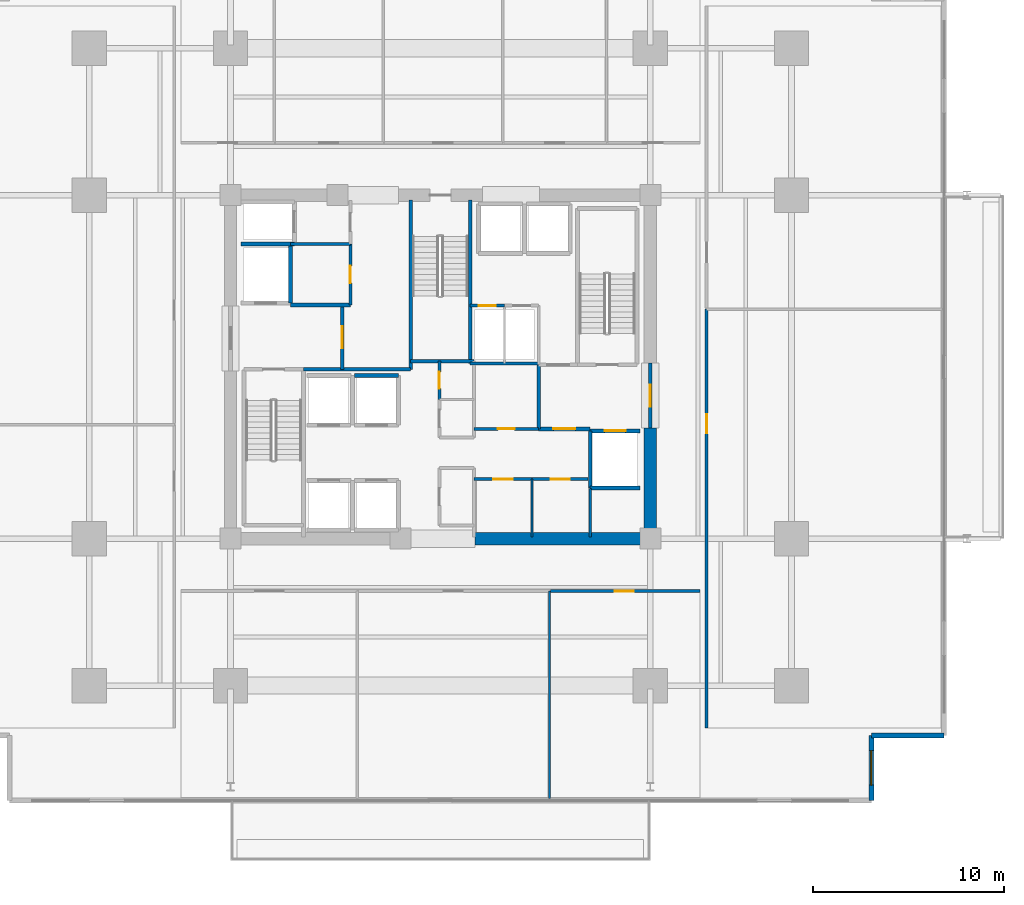
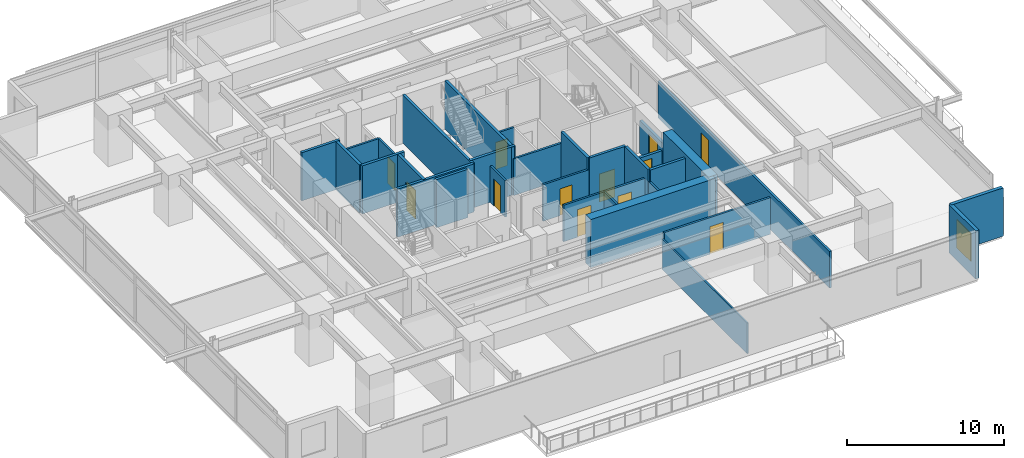
# One storey, part 17 of 24: 32 walls, 12 doors, 1 window, 13 openings.
"""IFC4 building model written with IfcOpenShell, lengths in metres."""

from ifc_helpers import new_model, si_unit, direction, frame, frame_2d, origin, place, context, subcontext, project, spatial, rectangle, extrude, material, layer, layer_set, type_object, element, fill, save


model = new_model("IFC4")

# Units and contexts
model_context = context("Model", 3, precision=1e-05, world=origin(), true_north=direction((0.0, 1.0)))
body_context = subcontext(model_context, "Body", "Model", "MODEL_VIEW")
ifc_project = project(units=[si_unit("LENGTHUNIT", "METRE"), si_unit("AREAUNIT", "SQUARE_METRE"), si_unit("VOLUMEUNIT", "CUBIC_METRE"), si_unit("PLANEANGLEUNIT", "RADIAN"), si_unit("MASSUNIT", "GRAM", prefix="KILO")], contexts=[model_context])

# Site, building, storey
site_placement = place(None, origin())
site = spatial("IfcSite", under=ifc_project, at=site_placement, CompositionType="ELEMENT")
building_placement = place(site_placement, origin())
building = spatial("IfcBuilding", under=site, at=building_placement, Name="Kovane Verandah Tower", CompositionType="ELEMENT")
storey_placement = place(building_placement, frame((0.0, 0.0, 95.60009765625)))
storey = spatial("IfcBuildingStorey", under=building, at=storey_placement, Name="L22", CompositionType="ELEMENT", Elevation=95.60009765625)

# Wall, opening, door
ifc_material_1 = material(Name="Fire-Rated Gypsum Stud Partition", Category="gypsum")
ifc_layer_1 = layer(ifc_material_1, 0.14990234375)
ifc_layer_set_1 = layer_set([ifc_layer_1], Name="Fire-Rated Gypsum Stud Partition")
wall_type_1 = type_object("IfcWallType", Name="WL-COR-150", PredefinedType="PARTITIONING", material=ifc_layer_set_1)
wall_1_placement = place(storey_placement, frame((39.949951171875, 25.800048828125, 0.0), z_axis=(0.0, 0.0, 1.0), x_axis=(0.0, 1.0, 0.0)))
wall_1 = element("IfcWall", 1, at=wall_1_placement, inside=storey, type_object=wall_type_1, Name="L22 Electrical Riser Room Partition", PredefinedType="PARTITIONING", context=body_context, shape_type="SweptSolid", body=[
    extrude(rectangle(XDim=2.0, YDim=0.14990234375, at=frame_2d((1.0, 0.0))), origin(), (0.0, 0.0, 1.0), 2.849853515625),
])
opening_1_placement = place(wall_1_placement, frame((0.56005859375, 0.0, 0.0)))
opening_1 = element("IfcOpeningElement", 2, at=opening_1_placement, cuts=wall_1, Name="Opening DR-L22-027", PredefinedType="OPENING", context=body_context, shape_type="SweptSolid", body=[
    extrude(rectangle(XDim=0.8798828125, YDim=2.10009765625, at=frame_2d((0.43994140625, 1.050048828125))), frame((0.0, 0.074951171875, 0.0), z_axis=(0.0, -1.0, 0.0), x_axis=(1.0, 0.0, 0.0)), (0.0, 0.0, 1.0), 0.14990234375),
])
ifc_material_2 = material(Name="Fire-Rated Steel Riser Access Door", Category="steel")
door_type_1 = type_object("IfcDoorType", Name="DR-RISER-880", OperationType="SINGLE_SWING_LEFT", PredefinedType="DOOR", material=ifc_material_2)
door_1_placement = place(opening_1_placement, origin())
door_1 = element("IfcDoor", 3, at=door_1_placement, inside=storey, type_object=door_type_1, Name="L22 Electrical Riser Room Door", OperationType="SINGLE_SWING_RIGHT", OverallHeight=2.10009765625, OverallWidth=0.8798828125, PredefinedType="DOOR", context=body_context, shape_type="SweptSolid", body=[
    extrude(rectangle(XDim=0.8798828125, YDim=2.10009765625, at=frame_2d((0.43994140625, 1.050048828125))), frame((0.0, 0.02490234375, 0.0), z_axis=(0.0, -1.0, 0.0), x_axis=(1.0, 0.0, 0.0)), (0.0, 0.0, 1.0), 0.050048828125),
])
fill(opening_1, door_1)

# Wall
wall_2_placement = place(storey_placement, frame((32.14990234375, 33.949951171875, 0.0), z_axis=(0.0, 0.0, 1.0), x_axis=(1.0, 0.0, 0.0)))
element("IfcWall", 4, at=wall_2_placement, inside=storey, type_object=wall_type_1, Name="L22 Goods Lift Lobby South Wall", PredefinedType="PARTITIONING", context=body_context, shape_type="SweptSolid", body=[
    extrude(rectangle(XDim=3.130126953125, YDim=0.14990234375, at=frame_2d((1.56494140625, 0.0))), origin(), (0.0, 0.0, 1.0), 2.849853515625),
])

# Wall, opening, door
wall_3_placement = place(storey_placement, frame((35.280029296875, 30.75, 0.0), z_axis=(0.0, 0.0, 1.0), x_axis=(0.0, 1.0, 0.0)))
wall_3 = element("IfcWall", 5, at=wall_3_placement, inside=storey, type_object=wall_type_1, Name="L22 Accessible Unisex Toilet Partition", PredefinedType="PARTITIONING", context=body_context, shape_type="SweptSolid", body=[
    extrude(rectangle(XDim=3.199951171875, YDim=0.14990234375, at=frame_2d((1.60009765625, 0.0))), origin(), (0.0, 0.0, 1.0), 2.849853515625),
])
opening_2_placement = place(wall_3_placement, frame((1.14990234375, 0.0, 0.0)))
opening_2 = element("IfcOpeningElement", 6, at=opening_2_placement, cuts=wall_3, Name="Opening DR-L22-028", PredefinedType="OPENING", context=body_context, shape_type="SweptSolid", body=[
    extrude(rectangle(XDim=0.89990234375, YDim=2.10009765625, at=frame_2d((0.449951171875, 1.050048828125))), frame((0.0, 0.074951171875, 0.0), z_axis=(0.0, -1.0, 0.0), x_axis=(1.0, 0.0, 0.0)), (0.0, 0.0, 1.0), 0.14990234375),
])
ifc_material_3 = material(Name="Moisture-Resistant Laminate Washroom Door", Category="wood")
door_type_2 = type_object("IfcDoorType", Name="DR-WC-900", OperationType="SINGLE_SWING_LEFT", PredefinedType="DOOR", material=ifc_material_3)
door_2_placement = place(opening_2_placement, origin())
door_2 = element("IfcDoor", 7, at=door_2_placement, inside=storey, type_object=door_type_2, Name="L22 Accessible Unisex Toilet Door", OperationType="SINGLE_SWING_RIGHT", OverallHeight=2.10009765625, OverallWidth=0.89990234375, PredefinedType="DOOR", context=body_context, shape_type="SweptSolid", body=[
    extrude(rectangle(XDim=0.89990234375, YDim=2.10009765625, at=frame_2d((0.449951171875, 1.050048828125))), frame((0.0, 0.02490234375, 0.0), z_axis=(0.0, -1.0, 0.0), x_axis=(1.0, 0.0, 0.0)), (0.0, 0.0, 1.0), 0.050048828125),
])
fill(opening_2, door_2)

# Walls
wall_4_placement = place(storey_placement, frame((41.56005859375, 27.679931640625, 0.0), z_axis=(0.0, 0.0, 1.0), x_axis=(1.0, 0.0, 0.0)))
element("IfcWall", 8, at=wall_4_placement, inside=storey, type_object=wall_type_1, Name="L22 East Core Service Riser South Wall", PredefinedType="PARTITIONING", context=body_context, shape_type="SweptSolid", body=[
    extrude(rectangle(XDim=3.58984375, YDim=0.14990234375, at=frame_2d((1.794921875, 0.0))), origin(), (0.0, 0.0, 1.0), 2.849853515625),
])
wall_5_placement = place(storey_placement, frame((47.85009765625, 18.60009765625, 0.0), z_axis=(0.0, 0.0, 1.0), x_axis=(0.0, 1.0, 0.0)))
element("IfcWall", 9, at=wall_5_placement, inside=storey, type_object=wall_type_1, Name="L22 East Core Support East Wall", PredefinedType="PARTITIONING", context=body_context, shape_type="SweptSolid", body=[
    extrude(rectangle(XDim=2.539794921875, YDim=0.14990234375, at=frame_2d((1.27001953125, 0.0))), origin(), (0.0, 0.0, 1.0), 2.849853515625),
])

# Wall, opening, door
wall_6_placement = place(storey_placement, frame((41.760009765625, 21.6201171875, 0.0), z_axis=(0.0, 0.0, 1.0), x_axis=(1.0, 0.0, 0.0)))
wall_6 = element("IfcWall", 10, at=wall_6_placement, inside=storey, type_object=wall_type_1, Name="L22 AV Control Room Partition", PredefinedType="PARTITIONING", context=body_context, shape_type="SweptSolid", body=[
    extrude(rectangle(XDim=3.0400390625, YDim=0.14990234375, at=frame_2d((1.52001953125, 0.0))), origin(), (0.0, 0.0, 1.0), 2.849853515625),
])
opening_3_placement = place(wall_6_placement, frame((1.02001953125, 0.0, 0.0)))
opening_3 = element("IfcOpeningElement", 11, at=opening_3_placement, cuts=wall_6, Name="Opening DR-L22-014", PredefinedType="OPENING", context=body_context, shape_type="SweptSolid", body=[
    extrude(rectangle(XDim=1.0, YDim=2.14990234375, at=frame_2d((0.5, 1.074951171875))), frame((0.0, 0.074951171875, 0.0), z_axis=(0.0, -1.0, 0.0), x_axis=(1.0, 0.0, 0.0)), (0.0, 0.0, 1.0), 0.14990234375),
])
ifc_material_4 = material(Name="FSC Spotted-Gum Timber Fire-Rated Office Door", Category="wood")
door_type_3 = type_object("IfcDoorType", Name="DR-OFF-1000", OperationType="SINGLE_SWING_LEFT", PredefinedType="DOOR", material=ifc_material_4)
door_3_placement = place(opening_3_placement, origin())
door_3 = element("IfcDoor", 12, at=door_3_placement, inside=storey, type_object=door_type_3, Name="L22 AV Control Room Door", OperationType="SINGLE_SWING_LEFT", OverallHeight=2.14990234375, OverallWidth=1.0, PredefinedType="DOOR", context=body_context, shape_type="SweptSolid", body=[
    extrude(rectangle(XDim=1.0, YDim=2.14990234375, at=frame_2d((0.5, 1.074951171875))), frame((0.0, 0.02490234375, 0.0), z_axis=(0.0, -1.0, 0.0), x_axis=(1.0, 0.0, 0.0)), (0.0, 0.0, 1.0), 0.050048828125),
])
fill(opening_3, door_3)

wall_7_placement = place(storey_placement, frame((44.800048828125, 21.6201171875, 0.0), z_axis=(0.0, 0.0, 1.0), x_axis=(1.0, 0.0, 0.0)))
wall_7 = element("IfcWall", 13, at=wall_7_placement, inside=storey, type_object=wall_type_1, Name="L22 East IT Server Room Partition", PredefinedType="PARTITIONING", context=body_context, shape_type="SweptSolid", body=[
    extrude(rectangle(XDim=2.93994140625, YDim=0.14990234375, at=frame_2d((1.469970703125, 0.0))), origin(), (0.0, 0.0, 1.0), 2.849853515625),
])
opening_4_placement = place(wall_7_placement, frame((0.969970703125, 0.0, 0.0)))
opening_4 = element("IfcOpeningElement", 14, at=opening_4_placement, cuts=wall_7, Name="Opening DR-L22-015", PredefinedType="OPENING", context=body_context, shape_type="SweptSolid", body=[
    extrude(rectangle(XDim=1.0, YDim=2.14990234375, at=frame_2d((0.5, 1.074951171875))), frame((0.0, 0.074951171875, 0.0), z_axis=(0.0, -1.0, 0.0), x_axis=(1.0, 0.0, 0.0)), (0.0, 0.0, 1.0), 0.14990234375),
])
door_4_placement = place(opening_4_placement, origin())
door_4 = element("IfcDoor", 15, at=door_4_placement, inside=storey, type_object=door_type_3, Name="L22 East IT Server Room Door", OperationType="SINGLE_SWING_RIGHT", OverallHeight=2.14990234375, OverallWidth=1.0, PredefinedType="DOOR", context=body_context, shape_type="SweptSolid", body=[
    extrude(rectangle(XDim=1.0, YDim=2.14990234375, at=frame_2d((0.5, 1.074951171875))), frame((0.0, 0.02490234375, 0.0), z_axis=(0.0, -1.0, 0.0), x_axis=(1.0, 0.0, 0.0)), (0.0, 0.0, 1.0), 0.050048828125),
])
fill(opening_4, door_4)

wall_8_placement = place(storey_placement, frame((41.760009765625, 24.25, 0.0), z_axis=(0.0, 0.0, 1.0), x_axis=(1.0, 0.0, 0.0)))
wall_8 = element("IfcWall", 16, at=wall_8_placement, inside=storey, type_object=wall_type_1, Name="L22 Cleaner Store Partition", PredefinedType="PARTITIONING", context=body_context, shape_type="SweptSolid", body=[
    extrude(rectangle(XDim=3.389892578125, YDim=0.14990234375, at=frame_2d((1.69482421875, 0.0))), origin(), (0.0, 0.0, 1.0), 2.849853515625),
])
opening_5_placement = place(wall_8_placement, frame((1.2548828125, 0.0, 0.0)))
opening_5 = element("IfcOpeningElement", 17, at=opening_5_placement, cuts=wall_8, Name="Opening DR-L22-016", PredefinedType="OPENING", context=body_context, shape_type="SweptSolid", body=[
    extrude(rectangle(XDim=0.8798828125, YDim=2.10009765625, at=frame_2d((0.43994140625, 1.050048828125))), frame((0.0, 0.074951171875, 0.0), z_axis=(0.0, -1.0, 0.0), x_axis=(1.0, 0.0, 0.0)), (0.0, 0.0, 1.0), 0.14990234375),
])
door_5_placement = place(opening_5_placement, origin())
door_5 = element("IfcDoor", 18, at=door_5_placement, inside=storey, type_object=door_type_1, Name="L22 Cleaner Store Door", OperationType="SINGLE_SWING_LEFT", OverallHeight=2.10009765625, OverallWidth=0.8798828125, PredefinedType="DOOR", context=body_context, shape_type="SweptSolid", body=[
    extrude(rectangle(XDim=0.8798828125, YDim=2.10009765625, at=frame_2d((0.43994140625, 1.050048828125))), frame((0.0, 0.02490234375, 0.0), z_axis=(0.0, -1.0, 0.0), x_axis=(1.0, 0.0, 0.0)), (0.0, 0.0, 1.0), 0.050048828125),
])
fill(opening_5, door_5)

wall_9_placement = place(storey_placement, frame((41.56005859375, 30.719970703125, 0.0), z_axis=(0.0, 0.0, 1.0), x_axis=(1.0, 0.0, 0.0)))
wall_9 = element("IfcWall", 19, at=wall_9_placement, inside=storey, type_object=wall_type_1, Name="L22 Chilled Water Riser Room Partition", PredefinedType="PARTITIONING", context=body_context, shape_type="SweptSolid", body=[
    extrude(rectangle(XDim=1.800048828125, YDim=0.14990234375, at=frame_2d((0.89990234375, 0.0))), origin(), (0.0, 0.0, 1.0), 2.849853515625),
])
opening_6_placement = place(wall_9_placement, frame((0.4599609375, 0.0, 0.0)))
opening_6 = element("IfcOpeningElement", 20, at=opening_6_placement, cuts=wall_9, Name="Opening DR-L22-017", PredefinedType="OPENING", context=body_context, shape_type="SweptSolid", body=[
    extrude(rectangle(XDim=0.8798828125, YDim=2.10009765625, at=frame_2d((0.43994140625, 1.050048828125))), frame((0.0, 0.074951171875, 0.0), z_axis=(0.0, -1.0, 0.0), x_axis=(1.0, 0.0, 0.0)), (0.0, 0.0, 1.0), 0.14990234375),
])
door_6_placement = place(opening_6_placement, origin())
door_6 = element("IfcDoor", 21, at=door_6_placement, inside=storey, type_object=door_type_1, Name="L22 Chilled Water Riser Room Door", OperationType="SINGLE_SWING_RIGHT", OverallHeight=2.10009765625, OverallWidth=0.8798828125, PredefinedType="DOOR", context=body_context, shape_type="SweptSolid", body=[
    extrude(rectangle(XDim=0.8798828125, YDim=2.10009765625, at=frame_2d((0.43994140625, 1.050048828125))), frame((0.0, 0.02490234375, 0.0), z_axis=(0.0, -1.0, 0.0), x_axis=(1.0, 0.0, 0.0)), (0.0, 0.0, 1.0), 0.050048828125),
])
fill(opening_6, door_6)

wall_10_placement = place(storey_placement, frame((45.781982421875, 15.75, 0.0), z_axis=(0.0, 0.0, 1.0), x_axis=(1.0, 0.0, 0.0)))
wall_10 = element("IfcWall", 22, at=wall_10_placement, inside=storey, type_object=wall_type_1, Name="L22 Focus Studio S3 Corridor Partition", PredefinedType="PARTITIONING", context=body_context, shape_type="SweptSolid", body=[
    extrude(rectangle(XDim=7.818115234375, YDim=0.14990234375, at=frame_2d((3.9091796875, 0.0))), origin(), (0.0, 0.0, 1.0), 2.849853515625),
])
opening_7_placement = place(wall_10_placement, frame((3.35888671875, 0.0, 0.0)))
opening_7 = element("IfcOpeningElement", 23, at=opening_7_placement, cuts=wall_10, Name="Opening DR-L22-026", PredefinedType="OPENING", context=body_context, shape_type="SweptSolid", body=[
    extrude(rectangle(XDim=1.0, YDim=2.14990234375, at=frame_2d((0.5, 1.074951171875))), frame((0.0, 0.074951171875, 0.0), z_axis=(0.0, -1.0, 0.0), x_axis=(1.0, 0.0, 0.0)), (0.0, 0.0, 1.0), 0.14990234375),
])
door_7_placement = place(opening_7_placement, origin())
door_7 = element("IfcDoor", 24, at=door_7_placement, inside=storey, type_object=door_type_3, Name="L22 Focus Studio S3 Entrance Door", OperationType="SINGLE_SWING_LEFT", OverallHeight=2.14990234375, OverallWidth=1.0, PredefinedType="DOOR", context=body_context, shape_type="SweptSolid", body=[
    extrude(rectangle(XDim=1.0, YDim=2.14990234375, at=frame_2d((0.5, 1.074951171875))), frame((0.0, 0.02490234375, 0.0), z_axis=(0.0, -1.0, 0.0), x_axis=(1.0, 0.0, 0.0)), (0.0, 0.0, 1.0), 0.050048828125),
])
fill(opening_7, door_7)

wall_11_placement = place(storey_placement, frame((53.949951171875, 8.589111328125, 0.0), z_axis=(0.0, 0.0, 1.0), x_axis=(0.0, 1.0, 0.0)))
wall_11 = element("IfcWall", 25, at=wall_11_placement, inside=storey, type_object=wall_type_1, Name="L22 Document and Print Room E1 Corridor Partition", PredefinedType="PARTITIONING", context=body_context, shape_type="SweptSolid", body=[
    extrude(rectangle(XDim=21.9365234375, YDim=0.14990234375, at=frame_2d((10.96826171875, 0.0))), origin(), (0.0, 0.0, 1.0), 2.849853515625),
])
opening_8_placement = place(wall_11_placement, frame((15.438720703125, 0.0, 0.0)))
opening_8 = element("IfcOpeningElement", 26, at=opening_8_placement, cuts=wall_11, Name="Opening DR-L22-012", PredefinedType="OPENING", context=body_context, shape_type="SweptSolid", body=[
    extrude(rectangle(XDim=1.0, YDim=2.14990234375, at=frame_2d((0.5, 1.074951171875))), frame((0.0, 0.074951171875, 0.0), z_axis=(0.0, -1.0, 0.0), x_axis=(1.0, 0.0, 0.0)), (0.0, 0.0, 1.0), 0.14990234375),
])
door_8_placement = place(opening_8_placement, origin())
door_8 = element("IfcDoor", 27, at=door_8_placement, inside=storey, type_object=door_type_3, Name="L22 Document and Print Room E1 Entrance Door", OperationType="SINGLE_SWING_RIGHT", OverallHeight=2.14990234375, OverallWidth=1.0, PredefinedType="DOOR", context=body_context, shape_type="SweptSolid", body=[
    extrude(rectangle(XDim=1.0, YDim=2.14990234375, at=frame_2d((0.5, 1.074951171875))), frame((0.0, 0.02490234375, 0.0), z_axis=(0.0, -1.0, 0.0), x_axis=(1.0, 0.0, 0.0)), (0.0, 0.0, 1.0), 0.050048828125),
])
fill(opening_8, door_8)

# Walls
ifc_material_5 = material(Name="Concrete C80/95", Category="concrete")
ifc_layer_2 = layer(ifc_material_5, 0.64990234375)
ifc_layer_set_2 = layer_set([ifc_layer_2], Name="Concrete C80/95")
wall_type_2 = type_object("IfcWallType", Name="WL-CORE-650", PredefinedType="SHEAR", material=ifc_layer_set_2)
wall_12_placement = place(storey_placement, frame((41.800048828125, 18.5, 0.0), z_axis=(0.0, 0.0, 1.0), x_axis=(1.0, 0.0, 0.0)))
element("IfcWall", 28, at=wall_12_placement, inside=storey, type_object=wall_type_2, Name="L22 Core Shear Wall CS-2", PredefinedType="SHEAR", context=body_context, shape_type="SweptSolid", body=[
    extrude(rectangle(XDim=9.199951171875, YDim=0.64990234375, at=frame_2d((4.60009765625, 0.0))), origin(), (0.0, 0.0, 1.0), 3.760009765625),
])
wall_13_placement = place(storey_placement, frame((51.0, 18.5, 0.0), z_axis=(0.0, 0.0, 1.0), x_axis=(0.0, 1.0, 0.0)))
element("IfcWall", 29, at=wall_13_placement, inside=storey, type_object=wall_type_2, Name="L22 Core Shear Wall CE-1", PredefinedType="SHEAR", context=body_context, shape_type="SweptSolid", body=[
    extrude(rectangle(XDim=5.800048828125, YDim=0.64990234375, at=frame_2d((2.89990234375, 0.0))), origin(), (0.0, 0.0, 1.0), 3.760009765625),
])

# Wall, opening, door
ifc_material_6 = material(Name="Concrete C45/55 Fire Wall", Category="concrete")
ifc_layer_3 = layer(ifc_material_6, 0.199951171875)
ifc_layer_set_3 = layer_set([ifc_layer_3], Name="Concrete C45/55 Fire Wall")
wall_type_3 = type_object("IfcWallType", Name="WL-FFL-200", PredefinedType="PARTITIONING", material=ifc_layer_set_3)
wall_14_placement = place(storey_placement, frame((34.85009765625, 27.3798828125, 0.0), z_axis=(0.0, 0.0, 1.0), x_axis=(0.0, 1.0, 0.0)))
wall_14 = element("IfcWall", 30, at=wall_14_placement, inside=storey, type_object=wall_type_3, Name="W-L22-FFLW-E", PredefinedType="PARTITIONING", context=body_context, shape_type="SweptSolid", body=[
    extrude(rectangle(XDim=3.3701171875, YDim=0.199951171875, at=frame_2d((1.68505859375, 0.0))), origin(), (0.0, 0.0, 1.0), 3.760009765625),
])
opening_9_placement = place(wall_14_placement, frame((1.110107421875, 0.0, 0.0)))
opening_9 = element("IfcOpeningElement", 31, at=opening_9_placement, cuts=wall_14, Name="Opening DR-L22-006", PredefinedType="OPENING", context=body_context, shape_type="SweptSolid", body=[
    extrude(rectangle(XDim=1.14990234375, YDim=2.199951171875, at=frame_2d((0.574951171875, 1.10009765625))), frame((0.0, 0.10009765625, 0.0), z_axis=(0.0, -1.0, 0.0), x_axis=(1.0, 0.0, 0.0)), (0.0, 0.0, 1.0), 0.199951171875),
])
ifc_material_7 = material(Name="Smoke-Sealed Firefighting Lobby Door", Category="steel")
door_type_4 = type_object("IfcDoorType", Name="DR-FFL-1150", OperationType="SINGLE_SWING_LEFT", PredefinedType="DOOR", material=ifc_material_7)
door_9_placement = place(opening_9_placement, origin())
door_9 = element("IfcDoor", 32, at=door_9_placement, inside=storey, type_object=door_type_4, Name="L22 West Firefighting Lobby Inner Door", OperationType="SINGLE_SWING_LEFT", OverallHeight=2.199951171875, OverallWidth=1.14990234375, PredefinedType="DOOR", context=body_context, shape_type="SweptSolid", body=[
    extrude(rectangle(XDim=1.14990234375, YDim=2.199951171875, at=frame_2d((0.574951171875, 1.10009765625))), frame((0.0, 0.02490234375, 0.0), z_axis=(0.0, -1.0, 0.0), x_axis=(1.0, 0.0, 0.0)), (0.0, 0.0, 1.0), 0.050048828125),
])
fill(opening_9, door_9)

# Walls
wall_15_placement = place(storey_placement, frame((32.820068359375, 27.3798828125, 0.0), z_axis=(0.0, 0.0, 1.0), x_axis=(1.0, 0.0, 0.0)))
element("IfcWall", 33, at=wall_15_placement, inside=storey, type_object=wall_type_3, Name="L22 West Firefighting Lobby South Fire Wall", PredefinedType="PARTITIONING", context=body_context, shape_type="SweptSolid", body=[
    extrude(rectangle(XDim=5.619873046875, YDim=0.199951171875, at=frame_2d((2.81005859375, 0.0))), origin(), (0.0, 0.0, 1.0), 3.760009765625),
])
wall_16_placement = place(storey_placement, frame((32.14990234375, 30.75, 0.0), z_axis=(0.0, 0.0, 1.0), x_axis=(1.0, 0.0, 0.0)))
element("IfcWall", 34, at=wall_16_placement, inside=storey, type_object=wall_type_3, Name="L22 West Firefighting Lobby North Fire Wall", PredefinedType="PARTITIONING", context=body_context, shape_type="SweptSolid", body=[
    extrude(rectangle(XDim=3.130126953125, YDim=0.199951171875, at=frame_2d((1.56494140625, 0.0))), origin(), (0.0, 0.0, 1.0), 3.760009765625),
])
wall_17_placement = place(storey_placement, frame((45.14990234375, 24.25, 0.0), z_axis=(0.0, 0.0, 1.0), x_axis=(0.0, 1.0, 0.0)))
element("IfcWall", 35, at=wall_17_placement, inside=storey, type_object=wall_type_3, Name="L22 East Firefighting Lobby West Fire Wall", PredefinedType="PARTITIONING", context=body_context, shape_type="SweptSolid", body=[
    extrude(rectangle(XDim=3.3701171875, YDim=0.199951171875, at=frame_2d((1.68505859375, 0.0))), origin(), (0.0, 0.0, 1.0), 3.760009765625),
])

# Wall, opening, door
wall_18_placement = place(storey_placement, frame((45.14990234375, 24.25, 0.0), z_axis=(0.0, 0.0, 1.0), x_axis=(1.0, 0.0, 0.0)))
wall_18 = element("IfcWall", 36, at=wall_18_placement, inside=storey, type_object=wall_type_3, Name="W-L22-FFLE-S", PredefinedType="PARTITIONING", context=body_context, shape_type="SweptSolid", body=[
    extrude(rectangle(XDim=2.7001953125, YDim=0.199951171875, at=frame_2d((1.35009765625, 0.0))), origin(), (0.0, 0.0, 1.0), 3.760009765625),
])
opening_10_placement = place(wall_18_placement, frame((0.77490234375, 0.0, 0.0)))
opening_10 = element("IfcOpeningElement", 37, at=opening_10_placement, cuts=wall_18, Name="Opening DR-L22-003", PredefinedType="OPENING", context=body_context, shape_type="SweptSolid", body=[
    extrude(rectangle(XDim=1.14990234375, YDim=2.199951171875, at=frame_2d((0.574951171875, 1.10009765625))), frame((0.0, 0.10009765625, 0.0), z_axis=(0.0, -1.0, 0.0), x_axis=(1.0, 0.0, 0.0)), (0.0, 0.0, 1.0), 0.199951171875),
])
door_10_placement = place(opening_10_placement, origin())
door_10 = element("IfcDoor", 38, at=door_10_placement, inside=storey, type_object=door_type_4, Name="L22 East Firefighting Lobby Inner Door", OperationType="SINGLE_SWING_RIGHT", OverallHeight=2.199951171875, OverallWidth=1.14990234375, PredefinedType="DOOR", context=body_context, shape_type="SweptSolid", body=[
    extrude(rectangle(XDim=1.14990234375, YDim=2.199951171875, at=frame_2d((0.574951171875, 1.10009765625))), frame((0.0, 0.02490234375, 0.0), z_axis=(0.0, -1.0, 0.0), x_axis=(1.0, 0.0, 0.0)), (0.0, 0.0, 1.0), 0.050048828125),
])
fill(opening_10, door_10)

wall_19_placement = place(storey_placement, frame((51.0, 24.300048828125, 0.0), z_axis=(0.0, 0.0, 1.0), x_axis=(0.0, 1.0, 0.0)))
wall_19 = element("IfcWall", 39, at=wall_19_placement, inside=storey, type_object=wall_type_3, Name="W-L22-FFLE-OUT", PredefinedType="PARTITIONING", context=body_context, shape_type="SweptSolid", body=[
    extrude(rectangle(XDim=3.39990234375, YDim=0.199951171875, at=frame_2d((1.699951171875, 0.0))), origin(), (0.0, 0.0, 1.0), 2.539794921875),
])
opening_11_placement = place(wall_19_placement, frame((1.125, 0.0, 0.0)))
opening_11 = element("IfcOpeningElement", 40, at=opening_11_placement, cuts=wall_19, Name="Opening DR-L22-005", PredefinedType="OPENING", context=body_context, shape_type="SweptSolid", body=[
    extrude(rectangle(XDim=1.14990234375, YDim=2.199951171875, at=frame_2d((0.574951171875, 1.10009765625))), frame((0.0, 0.10009765625, 0.0), z_axis=(0.0, -1.0, 0.0), x_axis=(1.0, 0.0, 0.0)), (0.0, 0.0, 1.0), 0.199951171875),
])
door_11_placement = place(opening_11_placement, origin())
door_11 = element("IfcDoor", 41, at=door_11_placement, inside=storey, type_object=door_type_4, Name="L22 East Firefighting Lobby Corridor Door", OperationType="SINGLE_SWING_LEFT", OverallHeight=2.199951171875, OverallWidth=1.14990234375, PredefinedType="DOOR", context=body_context, shape_type="SweptSolid", body=[
    extrude(rectangle(XDim=1.14990234375, YDim=2.199951171875, at=frame_2d((0.574951171875, 1.10009765625))), frame((0.0, 0.02490234375, 0.0), z_axis=(0.0, -1.0, 0.0), x_axis=(1.0, 0.0, 0.0)), (0.0, 0.0, 1.0), 0.050048828125),
])
fill(opening_11, door_11)

# Walls
ifc_material_8 = material(Name="Concrete C45/55 Lift Shaft Wall", Category="concrete")
ifc_layer_4 = layer(ifc_material_8, 0.199951171875)
ifc_layer_set_4 = layer_set([ifc_layer_4], Name="Concrete C45/55 Lift Shaft Wall")
wall_type_4 = type_object("IfcWallType", Name="WL-LIFT-200", PredefinedType="SOLIDWALL", material=ifc_layer_set_4)
wall_20_placement = place(storey_placement, frame((29.550048828125, 33.949951171875, 0.0), z_axis=(0.0, 0.0, 1.0), x_axis=(1.0, 0.0, 0.0)))
element("IfcWall", 42, at=wall_20_placement, inside=storey, type_object=wall_type_4, Name="L22 Lift FL-01 and GL-01 Shared Shaft Wall", PredefinedType="SOLIDWALL", context=body_context, shape_type="SweptSolid", body=[
    extrude(rectangle(XDim=2.800048828125, YDim=0.199951171875, at=frame_2d((1.39990234375, 0.0))), origin(), (0.0, 0.0, 1.0), 3.760009765625),
])
wall_21_placement = place(storey_placement, frame((32.14990234375, 30.85009765625, 0.0), z_axis=(0.0, 0.0, 1.0), x_axis=(0.0, 1.0, 0.0)))
element("IfcWall", 43, at=wall_21_placement, inside=storey, type_object=wall_type_4, Name="L22 Lift FL-01 E Shaft Wall", PredefinedType="SOLIDWALL", context=body_context, shape_type="SweptSolid", body=[
    extrude(rectangle(XDim=3.0, YDim=0.199951171875, at=frame_2d((1.5, 0.0))), origin(), (0.0, 0.0, 1.0), 3.760009765625),
])
wall_22_placement = place(storey_placement, frame((47.85009765625, 21.14990234375, 0.0), z_axis=(0.0, 0.0, 1.0), x_axis=(1.0, 0.0, 0.0)))
element("IfcWall", 44, at=wall_22_placement, inside=storey, type_object=wall_type_4, Name="L22 Lift FL-02 S Shaft Wall", PredefinedType="SOLIDWALL", context=body_context, shape_type="SweptSolid", body=[
    extrude(rectangle(XDim=2.599853515625, YDim=0.199951171875, at=frame_2d((1.2998046875, 0.0))), origin(), (0.0, 0.0, 1.0), 3.760009765625),
])

# Wall, opening, door
wall_23_placement = place(storey_placement, frame((50.449951171875, 24.14990234375, 0.0), z_axis=(0.0, 0.0, 1.0), x_axis=(-1.0, 0.0, 0.0)))
wall_23 = element("IfcWall", 45, at=wall_23_placement, inside=storey, type_object=wall_type_4, Name="L22 Lift FL-02 N Shaft Wall", PredefinedType="SOLIDWALL", context=body_context, shape_type="SweptSolid", body=[
    extrude(rectangle(XDim=2.599853515625, YDim=0.199951171875, at=frame_2d((1.2998046875, 0.0))), origin(), (0.0, 0.0, 1.0), 2.539794921875),
])
opening_12_placement = place(wall_23_placement, frame((0.75, 0.0, 0.0)))
opening_12 = element("IfcOpeningElement", 46, at=opening_12_placement, cuts=wall_23, Name="Opening LD-L22-002", PredefinedType="OPENING", context=body_context, shape_type="SweptSolid", body=[
    extrude(rectangle(XDim=1.10009765625, YDim=2.199951171875, at=frame_2d((0.550048828125, 1.10009765625))), frame((0.0, 0.10009765625, 0.0), z_axis=(0.0, -1.0, 0.0), x_axis=(1.0, 0.0, 0.0)), (0.0, 0.0, 1.0), 0.199951171875),
])
ifc_material_9 = material(Name="Brushed Stainless Steel Sliding Lift Landing Door", Category="steel")
door_type_5 = type_object("IfcDoorType", Name="DR-LIFT-1100", OperationType="SLIDING_TO_RIGHT", PredefinedType="DOOR", material=ifc_material_9)
door_12_placement = place(opening_12_placement, origin())
door_12 = element("IfcDoor", 47, at=door_12_placement, inside=storey, type_object=door_type_5, Name="L22 Lift FL-02 Sliding Landing Door", OperationType="SLIDING_TO_RIGHT", OverallHeight=2.199951171875, OverallWidth=1.10009765625, PredefinedType="DOOR", context=body_context, shape_type="SweptSolid", body=[
    extrude(rectangle(XDim=1.10009765625, YDim=2.199951171875, at=frame_2d((0.550048828125, 1.10009765625))), frame((0.0, 0.02490234375, 0.0), z_axis=(0.0, -1.0, 0.0), x_axis=(1.0, 0.0, 0.0)), (0.0, 0.0, 1.0), 0.050048828125),
])
fill(opening_12, door_12)

# Walls
wall_24_placement = place(storey_placement, frame((47.85009765625, 24.14990234375, 0.0), z_axis=(0.0, 0.0, 1.0), x_axis=(0.0, -1.0, 0.0)))
element("IfcWall", 48, at=wall_24_placement, inside=storey, type_object=wall_type_4, Name="L22 Lift FL-02 W Shaft Wall", PredefinedType="SOLIDWALL", context=body_context, shape_type="SweptSolid", body=[
    extrude(rectangle(XDim=3.0, YDim=0.199951171875, at=frame_2d((1.5, 0.0))), origin(), (0.0, 0.0, 1.0), 3.760009765625),
])
wall_25_placement = place(storey_placement, frame((37.800048828125, 27.050048828125, 0.0), z_axis=(0.0, 0.0, 1.0), x_axis=(-1.0, 0.0, 0.0)))
element("IfcWall", 49, at=wall_25_placement, inside=storey, type_object=wall_type_4, Name="L22 Lift PL-L4 N Shaft Wall", PredefinedType="SOLIDWALL", context=body_context, shape_type="SweptSolid", body=[
    extrude(rectangle(XDim=2.300048828125, YDim=0.199951171875, at=frame_2d((1.14990234375, 0.0))), origin(), (0.0, 0.0, 1.0), 3.760009765625),
])
ifc_material_10 = material(Name="Acoustic Fire-Rated Gypsum Partition", Category="gypsum")
ifc_layer_5 = layer(ifc_material_10, 0.1201171875)
ifc_layer_set_5 = layer_set([ifc_layer_5], Name="Acoustic Fire-Rated Gypsum Partition")
wall_type_5 = type_object("IfcWallType", Name="WL-PART-120", PredefinedType="PARTITIONING", material=ifc_layer_set_5)
wall_26_placement = place(storey_placement, frame((44.800048828125, 18.60009765625, 0.0), z_axis=(0.0, 0.0, 1.0), x_axis=(0.0, 1.0, 0.0)))
element("IfcWall", 50, at=wall_26_placement, inside=storey, type_object=wall_type_5, Name="L22 East Core Support Dividing Partition", PredefinedType="PARTITIONING", context=body_context, shape_type="SweptSolid", body=[
    extrude(rectangle(XDim=3.02001953125, YDim=0.1201171875, at=frame_2d((1.510009765625, 0.0))), origin(), (0.0, 0.0, 1.0), 2.849853515625),
])
wall_27_placement = place(storey_placement, frame((45.7119140625, 4.88916015625, 0.0), z_axis=(0.0, 0.0, 1.0), x_axis=(0.0, 1.0, 0.0)))
element("IfcWall", 51, at=wall_27_placement, inside=storey, type_object=wall_type_5, Name="L22 Meeting Room S2 Dividing Partition", PredefinedType="PARTITIONING", context=body_context, shape_type="SweptSolid", body=[
    extrude(rectangle(XDim=10.86083984375, YDim=0.1201171875, at=frame_2d((5.430419921875, 0.0))), origin(), (0.0, 0.0, 1.0), 2.389892578125),
])
ifc_material_11 = material(Name="Concrete C45/55", Category="concrete")
ifc_layer_6 = layer(ifc_material_11, 0.199951171875)
ifc_layer_set_6 = layer_set([ifc_layer_6], Name="Concrete C45/55")
wall_type_6 = type_object("IfcWallType", Name="WL-SHAFT-200", PredefinedType="SOLIDWALL", material=ifc_layer_set_6)
wall_28_placement = place(storey_placement, frame((38.43994140625, 27.3798828125, 0.0), z_axis=(0.0, 0.0, 1.0), x_axis=(0.0, 1.0, 0.0)))
element("IfcWall", 52, at=wall_28_placement, inside=storey, type_object=wall_type_6, Name="W-L22-ST03-W", PredefinedType="SOLIDWALL", context=body_context, shape_type="SweptSolid", body=[
    extrude(rectangle(XDim=8.8701171875, YDim=0.199951171875, at=frame_2d((4.43505859375, 0.0))), origin(), (0.0, 0.0, 1.0), 3.760009765625),
])
wall_29_placement = place(storey_placement, frame((41.56005859375, 27.679931640625, 0.0), z_axis=(0.0, 0.0, 1.0), x_axis=(0.0, 1.0, 0.0)))
element("IfcWall", 53, at=wall_29_placement, inside=storey, type_object=wall_type_6, Name="W-L22-ST03-E", PredefinedType="SOLIDWALL", context=body_context, shape_type="SweptSolid", body=[
    extrude(rectangle(XDim=8.570068359375, YDim=0.199951171875, at=frame_2d((4.28515625, 0.0))), origin(), (0.0, 0.0, 1.0), 3.760009765625),
])
wall_30_placement = place(storey_placement, frame((38.43994140625, 27.800048828125, 0.0), z_axis=(0.0, 0.0, 1.0), x_axis=(1.0, 0.0, 0.0)))
element("IfcWall", 54, at=wall_30_placement, inside=storey, type_object=wall_type_6, Name="W-L22-ST03-S", PredefinedType="SOLIDWALL", context=body_context, shape_type="SweptSolid", body=[
    extrude(rectangle(XDim=3.320068359375, YDim=0.199951171875, at=frame_2d((1.66015625, 0.0))), origin(), (0.0, 0.0, 1.0), 3.760009765625),
])

# Wall, opening, window
ifc_material_12 = material(Name="Concrete C45/55 Insulated Spandrel Wall", Category="concrete")
ifc_layer_7 = layer(ifc_material_12, 0.260009765625)
ifc_layer_set_7 = layer_set([ifc_layer_7], Name="Concrete C45/55 Insulated Spandrel Wall")
wall_type_7 = type_object("IfcWallType", Name="WL-SPANDREL-260", PredefinedType="PARAPET", material=ifc_layer_set_7)
wall_31_placement = place(storey_placement, frame((62.5869140625, 4.7890625, 0.0), z_axis=(0.0, 0.0, 1.0), x_axis=(0.0, 1.0, 0.0)))
wall_31 = element("IfcWall", 55, at=wall_31_placement, inside=storey, type_object=wall_type_7, Name="L22 SE Notch Cheek Wall 1", PredefinedType="PARAPET", context=body_context, shape_type="SweptSolid", body=[
    extrude(rectangle(XDim=3.400146484375, YDim=0.260009765625, at=frame_2d((1.7001953125, 0.0))), origin(), (0.0, 0.0, 1.0), 3.760009765625),
])
opening_13_placement = place(wall_31_placement, frame((0.800048828125, 0.0, 0.85009765625)))
opening_13 = element("IfcOpeningElement", 56, at=opening_13_placement, cuts=wall_31, Name="Opening W-03", PredefinedType="OPENING", context=body_context, shape_type="SweptSolid", body=[
    extrude(rectangle(XDim=1.800048828125, YDim=2.199951171875, at=frame_2d((0.89990234375, 1.10009765625))), frame((0.0, 0.1298828125, 0.0), z_axis=(0.0, -1.0, 0.0), x_axis=(1.0, 0.0, 0.0)), (0.0, 0.0, 1.0), 0.260009765625),
])
ifc_material_13 = material(Name="Clear Low-E Laminated Double Glazing in Anodised Frame", Category="glass")
window_type = type_object("IfcWindowType", Name="WN-NOTCH-1800x2200", PartitioningType="SINGLE_PANEL", PredefinedType="WINDOW", material=ifc_material_13)
window_placement = place(opening_13_placement, origin())
window = element("IfcWindow", 57, at=window_placement, inside=storey, type_object=window_type, Name="L22 SE Re-Entrant Corner Operable Window", OverallHeight=2.199951171875, OverallWidth=1.800048828125, PartitioningType="SINGLE_PANEL", PredefinedType="WINDOW", context=body_context, shape_type="SweptSolid", body=[
    extrude(rectangle(XDim=1.800048828125, YDim=2.199951171875, at=frame_2d((0.89990234375, 1.10009765625))), frame((0.0, 0.030029296875, 0.0), z_axis=(0.0, -1.0, 0.0), x_axis=(1.0, 0.0, 0.0)), (0.0, 0.0, 1.0), 0.06005859375),
])
fill(opening_13, window)

# Wall
wall_32_placement = place(storey_placement, frame((62.5869140625, 8.189208984375, 0.0), z_axis=(0.0, 0.0, 1.0), x_axis=(1.0, 0.0, 0.0)))
element("IfcWall", 58, at=wall_32_placement, inside=storey, type_object=wall_type_7, Name="L22 SE Notch Cheek Wall 2", PredefinedType="PARAPET", context=body_context, shape_type="SweptSolid", body=[
    extrude(rectangle(XDim=3.800048828125, YDim=0.260009765625, at=frame_2d((1.89990234375, 0.0))), origin(), (0.0, 0.0, 1.0), 3.760009765625),
])

save(model, "model.ifc")
